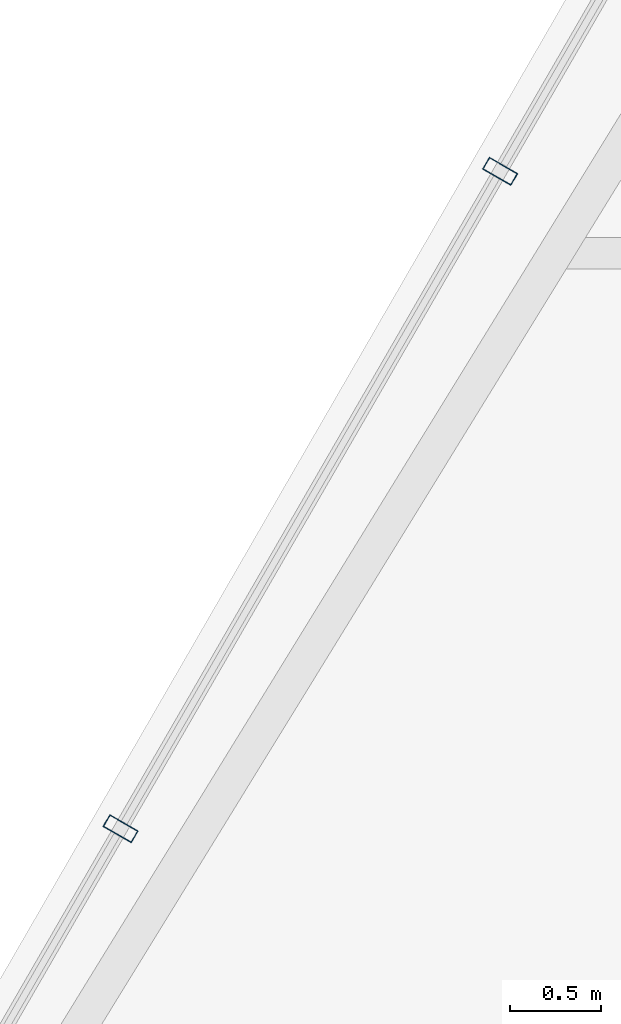
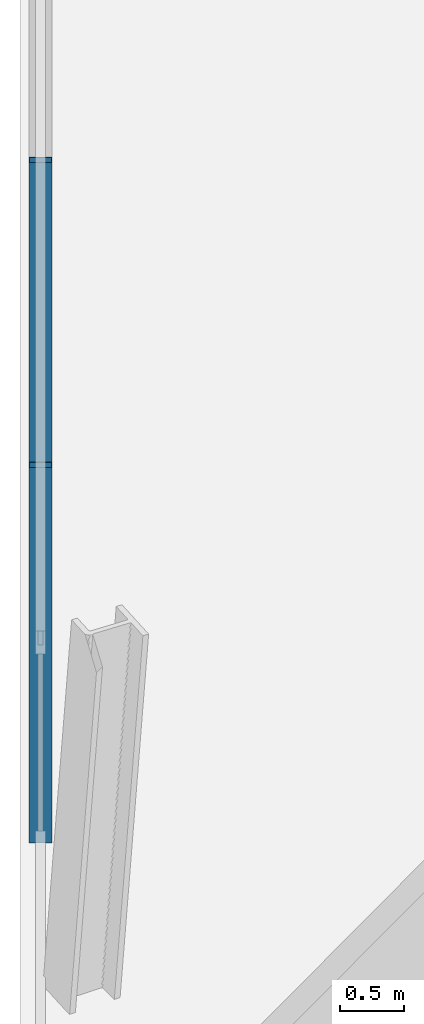
# One storey, part 13 of 35: 2 members, 1 element without a shape of its own.
"""IFC4 building model written with IfcOpenShell, lengths in metres."""

from ifc_helpers import new_model, si_unit, direction, frame, origin, origin_2d, place, context, subcontext, project, spatial, hollow_rectangle, extrude, material, layer, layer_set, material_profile, profile_set, type_object, element, aggregate, save


model = new_model("IFC4")

# Units and contexts
model_context = context("Model", 3, precision=1e-05, world=origin(), true_north=direction((0.0, 1.0)))
body_context = subcontext(model_context, "Body", "Model", "MODEL_VIEW")
ifc_project = project(units=[si_unit("LENGTHUNIT", "METRE"), si_unit("AREAUNIT", "SQUARE_METRE"), si_unit("VOLUMEUNIT", "CUBIC_METRE"), si_unit("PLANEANGLEUNIT", "RADIAN"), si_unit("MASSUNIT", "GRAM", prefix="KILO")], contexts=[model_context])

# Site, building, storey
site_placement = place(None, origin())
site = spatial("IfcSite", under=ifc_project, at=site_placement, CompositionType="ELEMENT")
building_placement = place(site_placement, origin())
building = spatial("IfcBuilding", under=site, at=building_placement, Name="Ndaravel Arena Tower", CompositionType="ELEMENT")
storey_placement = place(building_placement, frame((0.0, 0.0, 180.199951171875)))
storey = spatial("IfcBuildingStorey", under=building, at=storey_placement, Name="L43", CompositionType="ELEMENT", Elevation=180.199951171875)

# Curtain wall, members
ifc_material_1 = material(Name="Aluminium", Category="aluminium")
ifc_layer = layer(ifc_material_1, 0.179931640625)
ifc_layer_set = layer_set([ifc_layer], Name="Aluminium")
curtain_wall_type = type_object("IfcCurtainWallType", Name="CW-SYS-03", PredefinedType="NOTDEFINED", material=ifc_layer_set)
curtain_wall_placement = place(storey_placement, origin())
curtain_wall = element("IfcCurtainWall", 1, at=curtain_wall_placement, inside=storey, type_object=curtain_wall_type, Name="L43 Faceted Crystal Curtain Wall CW-L43-E05", PredefinedType="NOTDEFINED")
ifc_material_2 = material(Name="Aluminium", Category="aluminium")
ifc_material_profile = material_profile(ifc_material_2, hollow_rectangle(XDim=0.074951171875, YDim=0.179931640625, WallThickness=0.00390625, at=origin_2d()), Name="CW MULLION 75x180x4")
ifc_profile_set = profile_set([ifc_material_profile], Name="Aluminium")
member_type = type_object("IfcMemberType", Name="MEM-CW-MUL180", PredefinedType="MULLION", material=ifc_profile_set)
member_1_placement = place(storey_placement, frame((30.74658203125, 35.44970703125, 0.0), z_axis=(0.0, 0.0, 1.0), x_axis=(-0.5, -0.866025403784, 0.0)))
member_1 = element("IfcMember", 2, at=member_1_placement, type_object=member_type, Name="CW-L43-E05 Mullion 03", PredefinedType="MULLION", context=body_context, shape_type="SweptSolid", body=[
    extrude(hollow_rectangle(XDim=0.074951171875, YDim=0.179931640625, WallThickness=0.00390625, at=origin_2d()), origin(), (0.0, 0.0, 1.0), 3.580078125),
])
member_2_placement = place(storey_placement, frame((28.668701171875, 31.850341796875, 0.0), z_axis=(0.0, 0.0, 1.0), x_axis=(-0.5, -0.866025403784, 0.0)))
member_2 = element("IfcMember", 3, at=member_2_placement, type_object=member_type, Name="CW-L43-E05 Mullion 04", PredefinedType="MULLION", context=body_context, shape_type="SweptSolid", body=[
    extrude(hollow_rectangle(XDim=0.074951171875, YDim=0.179931640625, WallThickness=0.00390625, at=origin_2d()), origin(), (0.0, 0.0, 1.0), 3.580078125),
])
aggregate(curtain_wall, [member_1, member_2])

save(model, "model.ifc")
